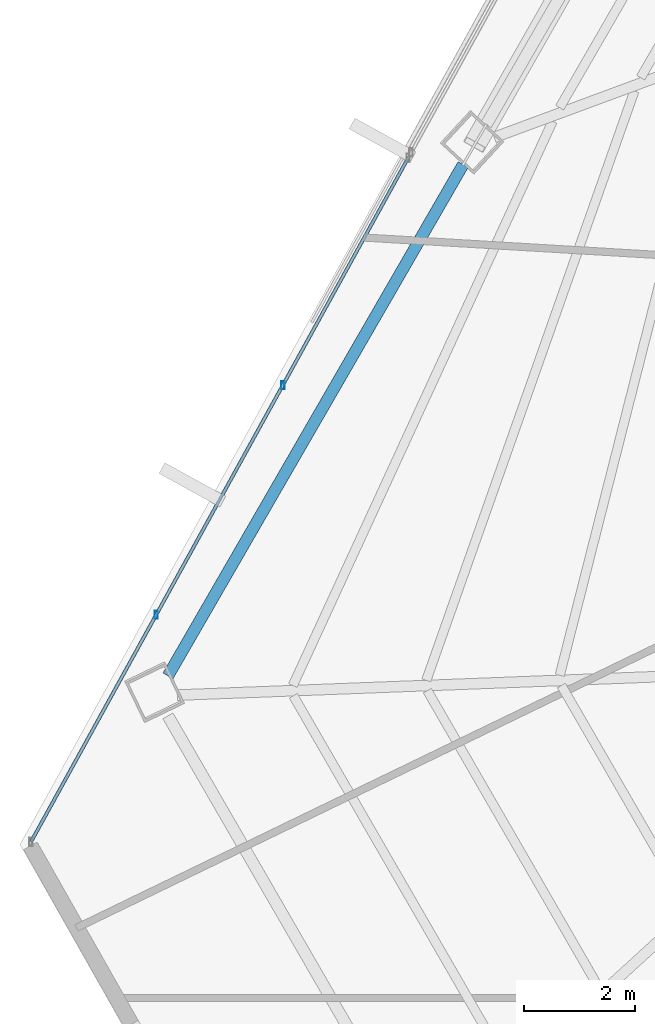
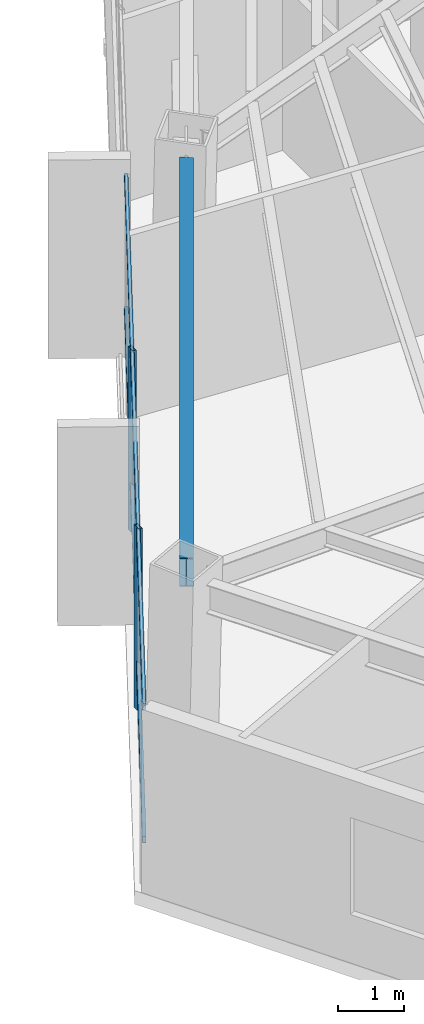
# One storey, part 7 of 40: 4 members, 1 beam, 1 element without a shape of its own.
"""IFC4 building model written with IfcOpenShell, lengths in metres."""

from ifc_helpers import new_model, si_unit, direction, frame, origin, origin_2d, place, context, subcontext, project, spatial, hollow_rectangle, i_section, extrude, source, transform, mapped, material, material_profile, profile_set, type_object, type_shapes, element, aggregate, save


model = new_model("IFC4")

# Units and contexts
model_context = context("Model", 3, precision=1e-05, world=origin(), true_north=direction((0.0, 1.0)))
body_context = subcontext(model_context, "Body", "Model", "MODEL_VIEW")
ifc_project = project(units=[si_unit("LENGTHUNIT", "METRE"), si_unit("AREAUNIT", "SQUARE_METRE"), si_unit("VOLUMEUNIT", "CUBIC_METRE"), si_unit("PLANEANGLEUNIT", "RADIAN"), si_unit("MASSUNIT", "GRAM", prefix="KILO")], contexts=[model_context])

# Site, building, storey
site_placement = place(None, origin())
site = spatial("IfcSite", under=ifc_project, at=site_placement, CompositionType="ELEMENT")
building_placement = place(site_placement, origin())
building = spatial("IfcBuilding", under=site, at=building_placement, Name="Caelisora Broadcast Tower", CompositionType="ELEMENT")
storey_placement = place(building_placement, frame((0.0, 0.0, 213.25)))
storey = spatial("IfcBuildingStorey", under=building, at=storey_placement, Name="L56", CompositionType="ELEMENT", Elevation=213.25)

# Beam
ifc_material_1 = material(Name="Steel Grade 350 (AS/NZS 3679.1)", Category="steel")
ifc_material_profile_1 = material_profile(ifc_material_1, i_section(OverallWidth=0.208984375, OverallDepth=0.532958984375, WebThickness=0.01025390625, FlangeThickness=0.015625, at=origin_2d()), Name="Steel Grade 350 (AS/NZS 3679.1)")
ifc_profile_set_1 = profile_set([ifc_material_profile_1], Name="Steel Grade 350 (AS/NZS 3679.1)")
beam_type = type_object("IfcBeamType", Name="PG05", PredefinedType="BEAM", material=ifc_profile_set_1)
shared_shape_1 = source(origin(), body_context, "Body", "SweptSolid", [
    extrude(i_section(OverallWidth=0.208984375, OverallDepth=0.532958984375, WebThickness=0.01025390625, FlangeThickness=0.015625, at=origin_2d()), origin(), (0.0, 0.0, 1.0), 10.62255859375),
])
type_shapes(beam_type, [shared_shape_1])
beam_placement = place(storey_placement, frame((21.5478515625, 26.405029296875, 3.133544921875), z_axis=(-0.499997664454, -0.866026752208, 0.0), x_axis=(0.866026752208, -0.499997664454, 0.0)))
element("IfcBeam", 1, at=beam_placement, inside=storey, type_object=beam_type, Name="L56 beam PG05", PredefinedType="BEAM", context=body_context, shape_type="MappedRepresentation", body=[
    mapped(shared_shape_1, transform((0.0, 0.0, 0.0), scale=1.0)),
])

# Curtain wall, members
ifc_material_2 = material(Name="Unitised Aluminium and Low-E Glass Curtain Wall", Category="glass")
curtain_wall_type = type_object("IfcCurtainWallType", Name="CW-Z4", PredefinedType="NOTDEFINED", material=ifc_material_2)
curtain_wall_placement = place(storey_placement, origin())
curtain_wall = element("IfcCurtainWall", 2, at=curtain_wall_placement, inside=storey, type_object=curtain_wall_type, Name="L56 curtain wall CW-Z4", PredefinedType="NOTDEFINED")
ifc_material_3 = material(Name="Aluminium 6063-T6 Anodised Terracotta Bronze", Category="aluminium")
ifc_material_profile_2 = material_profile(ifc_material_3, hollow_rectangle(XDim=0.06005859375, YDim=0.14990234375, WallThickness=0.00341796875, at=origin_2d()), Name="Aluminium 6063-T6 Anodised Terracotta Bronze")
ifc_profile_set_2 = profile_set([ifc_material_profile_2], Name="Aluminium 6063-T6 Anodised Terracotta Bronze")
member_type_1 = type_object("IfcMemberType", Name="CWM-03", PredefinedType="MULLION", material=ifc_profile_set_2)
shared_shape_2 = source(origin(), body_context, "Body", "SweptSolid", [
    extrude(hollow_rectangle(XDim=0.06005859375, YDim=0.14990234375, WallThickness=0.00341796875, at=origin_2d()), origin(), (0.0, 0.0, 1.0), 3.39990234375),
])
type_shapes(member_type_1, [shared_shape_2])
member_1_placement = place(storey_placement, frame((16.025390625, 18.303955078125, 0.0), z_axis=(0.0, 0.0, 1.0), x_axis=(1.0, 0.0, 0.0)))
member_1 = element("IfcMember", 3, at=member_1_placement, type_object=member_type_1, Name="L56-CW-B09 mullion #1", PredefinedType="MULLION", context=body_context, shape_type="MappedRepresentation", body=[
    mapped(shared_shape_2, transform((0.0, 0.0, 0.0), scale=1.0)),
])
member_2_placement = place(storey_placement, frame((18.3046875, 22.436767578125, 0.0), z_axis=(0.0, 0.0, 1.0), x_axis=(1.0, 0.0, 0.0)))
member_2 = element("IfcMember", 4, at=member_2_placement, type_object=member_type_1, Name="L56-CW-B09 mullion #2", PredefinedType="MULLION", context=body_context, shape_type="MappedRepresentation", body=[
    mapped(shared_shape_2, transform((0.0, 0.0, 0.0), scale=1.0)),
])
ifc_material_profile_3 = material_profile(ifc_material_3, hollow_rectangle(XDim=0.06005859375, YDim=0.1201171875, WallThickness=0.0029296875, at=origin_2d()), Name="Aluminium 6063-T6 Anodised Terracotta Bronze")
ifc_profile_set_3 = profile_set([ifc_material_profile_3], Name="Aluminium 6063-T6 Anodised Terracotta Bronze")
member_type_2 = type_object("IfcMemberType", Name="CWT-03", PredefinedType="USERDEFINED", material=ifc_profile_set_3)
shared_shape_3 = source(origin(), body_context, "Body", "SweptSolid", [
    extrude(hollow_rectangle(XDim=0.06005859375, YDim=0.1201171875, WallThickness=0.0029296875, at=origin_2d()), origin(), (0.0, 0.0, 1.0), 14.059326171875),
])
type_shapes(member_type_2, [shared_shape_3])
member_3_placement = place(storey_placement, frame((13.77001953125, 14.21484375, 0.85009765625), z_axis=(0.482940996427, 0.875652895827, 0.0), x_axis=(-0.875652895827, 0.482940996427, 0.0)))
member_3 = element("IfcMember", 5, at=member_3_placement, type_object=member_type_2, Name="L56-CW-B09 transom #1", ObjectType="TRANSOM", PredefinedType="USERDEFINED", context=body_context, shape_type="MappedRepresentation", body=[
    mapped(shared_shape_3, transform((0.0, 0.0, 0.0), scale=1.0)),
])
member_4_placement = place(storey_placement, frame((13.77001953125, 14.21484375, 3.320068359375), z_axis=(0.482940996427, 0.875652895827, 0.0), x_axis=(-0.875652895827, 0.482940996427, 0.0)))
member_4 = element("IfcMember", 6, at=member_4_placement, type_object=member_type_2, Name="L56-CW-B09 transom #2", ObjectType="TRANSOM", PredefinedType="USERDEFINED", context=body_context, shape_type="MappedRepresentation", body=[
    mapped(shared_shape_3, transform((0.0, 0.0, 0.0), scale=1.0)),
])
aggregate(curtain_wall, [member_1, member_2, member_3, member_4])

save(model, "model.ifc")
